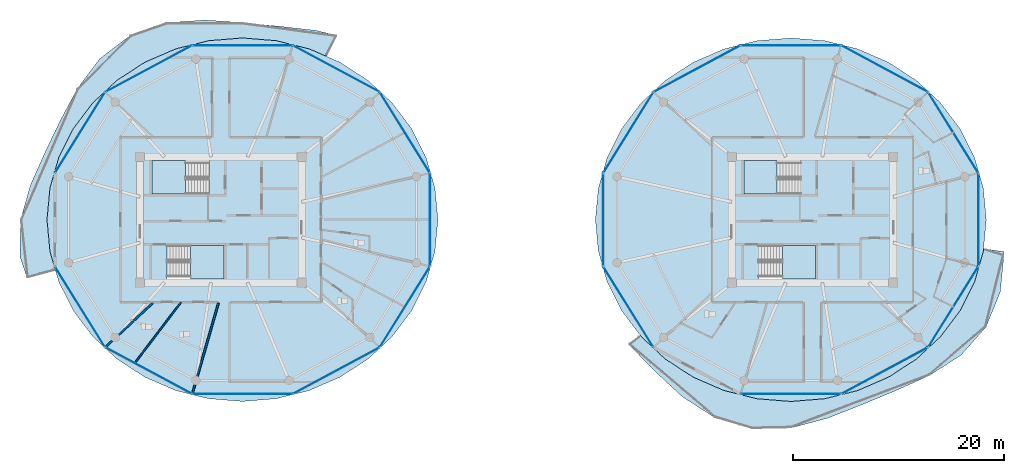
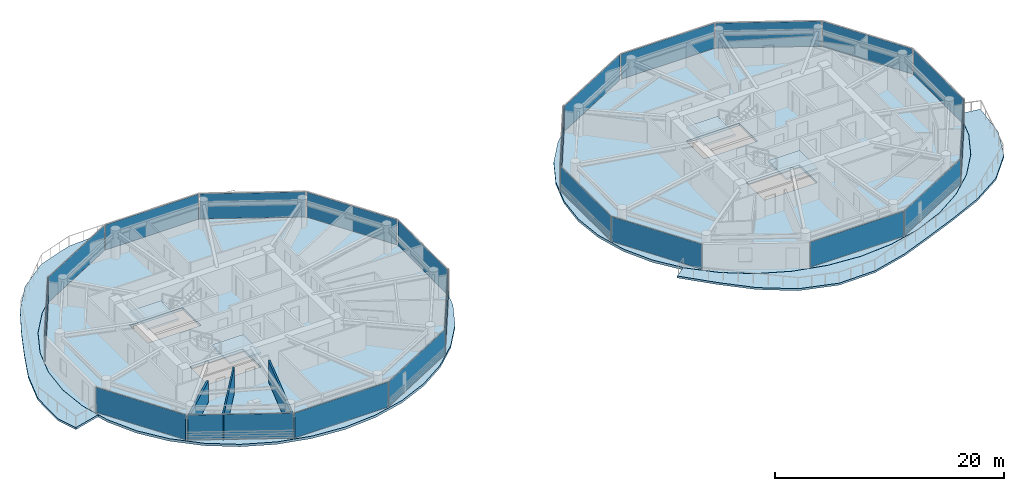
# One storey, part 12 of 25: 22 plates, 8 slabs, 3 walls, 26 elements without a shape of their own.
"""IFC4 building model written with IfcOpenShell, lengths in metres."""

from ifc_helpers import new_model, si_unit, direction, frame, frame_2d, origin, origin_2d, place, context, subcontext, project, spatial, polyline, rectangle, outline, extrude, source, transform, mapped, material, layer, layer_set, type_object, type_shapes, element, aggregate, save


model = new_model("IFC4")

# Units and contexts
model_context = context("Model", 3, precision=1e-05, world=origin(), true_north=direction((0.0, 1.0)))
body_context = subcontext(model_context, "Body", "Model", "MODEL_VIEW")
ifc_project = project(units=[si_unit("LENGTHUNIT", "METRE"), si_unit("AREAUNIT", "SQUARE_METRE"), si_unit("VOLUMEUNIT", "CUBIC_METRE"), si_unit("PLANEANGLEUNIT", "RADIAN"), si_unit("MASSUNIT", "GRAM", prefix="KILO")], contexts=[model_context])

# Site, building, storey
site_placement = place(None, origin())
site = spatial("IfcSite", under=ifc_project, at=site_placement, CompositionType="ELEMENT")
building_placement = place(site_placement, origin())
building = spatial("IfcBuilding", under=site, at=building_placement, Name="Norrkilde Senior Care Towers", CompositionType="ELEMENT")
storey_placement = place(building_placement, frame((0.0, 0.0, 84.050048828125)))
storey = spatial("IfcBuildingStorey", under=building, at=storey_placement, Name="L25", CompositionType="ELEMENT", Elevation=84.050048828125)

# Slabs
ifc_material_1 = material(Name="Concrete C50/60", Category="concrete")
ifc_layer_1 = layer(ifc_material_1, 0.215087890625)
ifc_layer_set_1 = layer_set([ifc_layer_1], Name="Concrete C50/60")
slab_type_1 = type_object("IfcSlabType", Name="Sinusoidal Balcony Ribbon Slab 215", PredefinedType="FLOOR", material=ifc_layer_set_1)
slab_1_placement = place(storey_placement, frame((0.0, 0.0, -0.215087890625)))
element("IfcSlab", 1, at=slab_1_placement, inside=storey, type_object=slab_type_1, Name="L25 Drum W Swirling Senior Balcony 1", PredefinedType="FLOOR", context=body_context, shape_type="SweptSolid", body=[
    extrude(outline(polyline([(-46.96240234375, 0.0), (-45.996337890625, 3.333251953125), (-44.635009765625, 6.391845703125), (-43.20654296875, 9.366943359375), (-41.599365234375, 12.389404296875), (-39.455078125, 15.244140625), (-36.571533203125, 17.45068359375), (-33.1181640625, 18.6474609375), (-29.484375, 18.90283203125), (-25.949951171875, 18.65380859375), (-22.511474609375, 18.317138671875), (-19.0263671875, 17.924560546875), (-16.964111328125, 17.4462890625), (-17.987548828125, 15.459228515625), (-19.620849609375, 16.16748046875), (-22.736572265625, 16.943603515625), (-25.949951171875, 17.205078125), (-29.163330078125, 16.943603515625), (-32.279052734375, 16.16748046875), (-35.202392578125, 14.89990234375), (-37.8447265625, 13.1796875), (-40.125732421875, 11.05908203125), (-41.975830078125, 8.6025390625), (-43.339111328125, 5.884521484375), (-44.173828125, 2.987548828125), (-44.455078125, 0.0), (-44.173828125, -2.987548828125), (-43.64990234375, -4.80615234375), (-46.322998046875, -5.531982421875), (-47.006591796875, -3.52490234375), (-46.96240234375, 0.0)])), origin(), (0.0, 0.0, 1.0), 0.215087890625),
])
slab_2_placement = place(storey_placement, frame((0.0, 0.0, -0.215087890625)))
element("IfcSlab", 2, at=slab_2_placement, inside=storey, type_object=slab_type_1, Name="L25 Drum E Swirling Senior Balcony 1", PredefinedType="FLOOR", context=body_context, shape_type="SweptSolid", body=[
    extrude(outline(polyline([(44.43505859375, -10.1298828125), (42.069091796875, -12.8134765625), (39.06591796875, -14.745361328125), (35.8876953125, -16.176513671875), (32.72509765625, -17.48583984375), (29.46337890625, -18.774169921875), (25.949951171875, -19.71240234375), (22.270263671875, -19.788818359375), (18.751220703125, -18.738037109375), (15.695068359375, -16.76806640625), (13.116455078125, -14.38330078125), (10.767333984375, -11.96826171875), (10.588623046875, -11.779296875), (11.68408203125, -10.939208984375), (11.7744140625, -11.05908203125), (14.05517578125, -13.1796875), (16.697509765625, -14.89990234375), (19.620849609375, -16.16748046875), (22.736572265625, -16.943603515625), (25.949951171875, -17.205078125), (29.163330078125, -16.943603515625), (32.279052734375, -16.16748046875), (35.202392578125, -14.89990234375), (37.8447265625, -13.1796875), (40.125732421875, -11.05908203125), (41.975830078125, -8.6025390625), (43.339111328125, -5.884521484375), (44.173828125, -2.987548828125), (44.197509765625, -2.73681640625), (46.1025390625, -3.0224609375), (46.12451171875, -3.357666015625), (45.77685546875, -6.839111328125), (44.43505859375, -10.1298828125)])), origin(), (0.0, 0.0, 1.0), 0.215087890625),
])

# Stair, slab
ifc_material_2 = material(Name="Concrete C45/55", Category="concrete")
stair_type = type_object("IfcStairType", Name="Core Protected Dogleg Stair Typical 3050", PredefinedType="HALF_TURN_STAIR", material=ifc_material_2)
stair_1_placement = place(storey_placement, origin())
stair_1 = element("IfcStair", 3, at=stair_1_placement, inside=storey, type_object=stair_type, Name="L25 Protected Core Stair W1", PredefinedType="HALF_TURN_STAIR")
ifc_layer_2 = layer(ifc_material_2, 0.199951171875)
ifc_layer_set_2 = layer_set([ifc_layer_2], Name="Concrete C45/55")
slab_type_2 = type_object("IfcSlabType", Name="Stair Landing Slab 200", PredefinedType="LANDING", material=ifc_layer_set_2)
slab_3_placement = place(storey_placement, frame((0.0, 0.0, 1.324951171875)))
slab_3 = element("IfcSlab", 4, at=slab_3_placement, type_object=slab_type_2, Name="ST-W1 landing 1", PredefinedType="LANDING", context=body_context, shape_type="SweptSolid", body=[
    extrude(outline(polyline([(-31.340087890625, 5.590087890625), (-34.5, 5.590087890625), (-34.5, 2.449951171875), (-31.340087890625, 2.449951171875), (-31.340087890625, 5.590087890625)])), origin(), (0.0, 0.0, 1.0), 0.199951171875),
])
aggregate(stair_1, [slab_3])

stair_2_placement = place(storey_placement, origin())
stair_2 = element("IfcStair", 5, at=stair_2_placement, inside=storey, type_object=stair_type, Name="L25 Protected Core Stair W2", PredefinedType="HALF_TURN_STAIR")
slab_4_placement = place(storey_placement, frame((0.0, 0.0, 1.324951171875)))
slab_4 = element("IfcSlab", 6, at=slab_4_placement, type_object=slab_type_2, Name="ST-W2 landing 1", PredefinedType="LANDING", context=body_context, shape_type="SweptSolid", body=[
    extrude(outline(polyline([(-30.860107421875, -5.590087890625), (-27.699951171875, -5.590087890625), (-27.699951171875, -2.449951171875), (-30.860107421875, -2.449951171875), (-30.860107421875, -5.590087890625)])), origin(), (0.0, 0.0, 1.0), 0.199951171875),
])
aggregate(stair_2, [slab_4])

stair_3_placement = place(storey_placement, origin())
stair_3 = element("IfcStair", 7, at=stair_3_placement, inside=storey, type_object=stair_type, Name="L25 Protected Core Stair E1", PredefinedType="HALF_TURN_STAIR")
slab_5_placement = place(storey_placement, frame((0.0, 0.0, 1.324951171875)))
slab_5 = element("IfcSlab", 8, at=slab_5_placement, type_object=slab_type_2, Name="ST-E1 landing 1", PredefinedType="LANDING", context=body_context, shape_type="SweptSolid", body=[
    extrude(outline(polyline([(24.659912109375, 5.590087890625), (21.5, 5.590087890625), (21.5, 2.449951171875), (24.659912109375, 2.449951171875), (24.659912109375, 5.590087890625)])), origin(), (0.0, 0.0, 1.0), 0.199951171875),
])
aggregate(stair_3, [slab_5])

stair_4_placement = place(storey_placement, origin())
stair_4 = element("IfcStair", 9, at=stair_4_placement, inside=storey, type_object=stair_type, Name="L25 Protected Core Stair E2", PredefinedType="HALF_TURN_STAIR")
slab_6_placement = place(storey_placement, frame((0.0, 0.0, 1.324951171875)))
slab_6 = element("IfcSlab", 10, at=slab_6_placement, type_object=slab_type_2, Name="ST-E2 landing 1", PredefinedType="LANDING", context=body_context, shape_type="SweptSolid", body=[
    extrude(outline(polyline([(25.139892578125, -5.590087890625), (28.300048828125, -5.590087890625), (28.300048828125, -2.449951171875), (25.139892578125, -2.449951171875), (25.139892578125, -5.590087890625)])), origin(), (0.0, 0.0, 1.0), 0.199951171875),
])
aggregate(stair_4, [slab_6])

# Slabs
ifc_layer_3 = layer(ifc_material_1, 0.260009765625)
ifc_layer_set_3 = layer_set([ifc_layer_3], Name="Concrete C50/60")
slab_type_3 = type_object("IfcSlabType", Name="Tower Care Floor Slab 260", PredefinedType="FLOOR", material=ifc_layer_set_3)
slab_7_placement = place(storey_placement, frame((0.0, 0.0, -0.260009765625)))
element("IfcSlab", 11, at=slab_7_placement, inside=storey, type_object=slab_type_3, Name="L25 Drum W Structural Floor Slab", PredefinedType="FLOOR", context=body_context, shape_type="SweptSolid", body=[
    extrude(outline(polyline([(-8.565673828125, -5.8828125), (-9.928466796875, -8.60009765625), (-11.778076171875, -11.055908203125), (-14.058349609375, -13.176025390625), (-16.699951171875, -14.895751953125), (-19.62255859375, -16.16259765625), (-22.737548828125, -16.938720703125), (-25.949951171875, -17.199951171875), (-29.16259765625, -16.938720703125), (-32.27734375, -16.16259765625), (-35.199951171875, -14.895751953125), (-37.841552734375, -13.176025390625), (-40.121826171875, -11.055908203125), (-41.971435546875, -8.60009765625), (-43.334228515625, -5.8828125), (-44.1689453125, -2.98681640625), (-44.449951171875, 0.0), (-44.1689453125, 2.98681640625), (-43.334228515625, 5.8828125), (-41.971435546875, 8.60009765625), (-40.121826171875, 11.055908203125), (-37.841552734375, 13.176025390625), (-35.199951171875, 14.895751953125), (-32.27734375, 16.16259765625), (-29.16259765625, 16.938720703125), (-25.949951171875, 17.199951171875), (-22.737548828125, 16.938720703125), (-19.62255859375, 16.16259765625), (-16.699951171875, 14.895751953125), (-14.058349609375, 13.176025390625), (-11.778076171875, 11.055908203125), (-9.928466796875, 8.60009765625), (-8.565673828125, 5.8828125), (-7.73095703125, 2.98681640625), (-7.449951171875, 0.0), (-7.73095703125, -2.98681640625), (-8.565673828125, -5.8828125)]), holes=[polyline([(-34.48193359375, 2.468017578125), (-29.117919921875, 2.468017578125), (-29.117919921875, 5.590087890625), (-34.48193359375, 5.590087890625), (-34.48193359375, 2.468017578125)]), polyline([(-27.718017578125, -5.590087890625), (-27.718017578125, -2.468017578125), (-33.08203125, -2.468017578125), (-33.08203125, -5.590087890625), (-27.718017578125, -5.590087890625)])]), origin(), (0.0, 0.0, 1.0), 0.260009765625),
])
slab_8_placement = place(storey_placement, frame((0.0, 0.0, -0.260009765625)))
element("IfcSlab", 12, at=slab_8_placement, inside=storey, type_object=slab_type_3, Name="L25 Drum E Structural Floor Slab", PredefinedType="FLOOR", context=body_context, shape_type="SweptSolid", body=[
    extrude(outline(polyline([(43.334228515625, -5.8828125), (41.971435546875, -8.60009765625), (40.121826171875, -11.055908203125), (37.841552734375, -13.176025390625), (35.199951171875, -14.895751953125), (32.27734375, -16.16259765625), (29.16259765625, -16.938720703125), (25.949951171875, -17.199951171875), (22.737548828125, -16.938720703125), (19.62255859375, -16.16259765625), (16.699951171875, -14.895751953125), (14.058349609375, -13.176025390625), (11.778076171875, -11.055908203125), (9.928466796875, -8.60009765625), (8.565673828125, -5.8828125), (7.73095703125, -2.98681640625), (7.449951171875, 0.0), (7.73095703125, 2.98681640625), (8.565673828125, 5.8828125), (9.928466796875, 8.60009765625), (11.778076171875, 11.055908203125), (14.058349609375, 13.176025390625), (16.699951171875, 14.895751953125), (19.62255859375, 16.16259765625), (22.737548828125, 16.938720703125), (25.949951171875, 17.199951171875), (29.16259765625, 16.938720703125), (32.27734375, 16.16259765625), (35.199951171875, 14.895751953125), (37.841552734375, 13.176025390625), (40.121826171875, 11.055908203125), (41.971435546875, 8.60009765625), (43.334228515625, 5.8828125), (44.1689453125, 2.98681640625), (44.449951171875, 0.0), (44.1689453125, -2.98681640625), (43.334228515625, -5.8828125)]), holes=[polyline([(21.51806640625, 2.468017578125), (26.882080078125, 2.468017578125), (26.882080078125, 5.590087890625), (21.51806640625, 5.590087890625), (21.51806640625, 2.468017578125)]), polyline([(28.281982421875, -5.590087890625), (28.281982421875, -2.468017578125), (22.91796875, -2.468017578125), (22.91796875, -5.590087890625), (28.281982421875, -5.590087890625)])]), origin(), (0.0, 0.0, 1.0), 0.260009765625),
])

# Curtain wall, plate
ifc_material_3 = material(Name="Triple Low-E Insulated Glazing", Category="glass")
ifc_layer_4 = layer(ifc_material_3, 0.195068359375)
ifc_layer_set_4 = layer_set([ifc_layer_4], Name="Triple Low-E Insulated Glazing")
curtain_wall_type = type_object("IfcCurtainWallType", Name="CW3 Zone 2 Assisted Living Curtain Wall", PredefinedType="NOTDEFINED", material=ifc_layer_set_4)
curtain_wall_1_placement = place(storey_placement, origin())
curtain_wall_1 = element("IfcCurtainWall", 13, at=curtain_wall_1_placement, inside=storey, type_object=curtain_wall_type, Name="L25 Drum W Curtain Wall 00", PredefinedType="NOTDEFINED")
ifc_layer_5 = layer(ifc_material_3, 0.035888671875)
ifc_layer_set_5 = layer_set([ifc_layer_5], Name="Triple Low-E Insulated Glazing")
plate_type = type_object("IfcPlateType", Name="Triple Low-E Vision Curtain Panel 36", PredefinedType="CURTAIN_PANEL", material=ifc_layer_set_5)
shared_shape_1 = source(origin(), body_context, "Body", "SweptSolid", [
    extrude(rectangle(XDim=8.88427734375, YDim=0.035888671875, at=origin_2d()), origin(), (0.0, 0.0, 1.0), 2.669921875),
])
plate_1_placement = place(storey_placement, frame((-10.574951171875, 8.2490234375, 0.06005859375), z_axis=(0.0, 0.0, 1.0), x_axis=(0.527733228002, -0.849410171862, 0.0)))
plate_1 = element("IfcPlate", 14, at=plate_1_placement, type_object=plate_type, Name="CW-3 panel 1.1", PredefinedType="CURTAIN_PANEL", context=body_context, shape_type="MappedRepresentation", body=[
    mapped(shared_shape_1, transform((0.0, 0.0, 0.0), x_axis=(1.0, 0.0, 0.0), y_axis=(0.0, 1.0, 0.0), z_axis=(0.0, 0.0, 1.0), scale=1.0)),
])
aggregate(curtain_wall_1, [plate_1])

curtain_wall_2_placement = place(storey_placement, origin())
curtain_wall_2 = element("IfcCurtainWall", 15, at=curtain_wall_2_placement, inside=storey, type_object=curtain_wall_type, Name="L25 Drum W Curtain Wall 04", PredefinedType="NOTDEFINED")
plate_2_placement = place(storey_placement, frame((-41.3251953125, 8.2490234375, 0.06005859375), z_axis=(0.0, 0.0, 1.0), x_axis=(0.527733228002, 0.849410171862, 0.0)))
plate_2 = element("IfcPlate", 16, at=plate_2_placement, type_object=plate_type, Name="CW-3 panel 1.1", PredefinedType="CURTAIN_PANEL", context=body_context, shape_type="MappedRepresentation", body=[
    mapped(shared_shape_1, transform((0.0, 0.0, 0.0), x_axis=(1.0, 0.0, 0.0), y_axis=(0.0, 1.0, 0.0), z_axis=(0.0, 0.0, 1.0), scale=1.0)),
])
aggregate(curtain_wall_2, [plate_2])

curtain_wall_3_placement = place(storey_placement, origin())
curtain_wall_3 = element("IfcCurtainWall", 17, at=curtain_wall_3_placement, inside=storey, type_object=curtain_wall_type, Name="L25 Drum W Curtain Wall 06", PredefinedType="NOTDEFINED")
plate_3_placement = place(storey_placement, frame((-41.3251953125, -8.2490234375, 0.06005859375), z_axis=(0.0, 0.0, 1.0), x_axis=(-0.527733228002, 0.849410171862, 0.0)))
plate_3 = element("IfcPlate", 18, at=plate_3_placement, type_object=plate_type, Name="CW-3 panel 1.1", PredefinedType="CURTAIN_PANEL", context=body_context, shape_type="MappedRepresentation", body=[
    mapped(shared_shape_1, transform((0.0, 0.0, 0.0), x_axis=(1.0, 0.0, 0.0), y_axis=(0.0, 1.0, 0.0), z_axis=(0.0, 0.0, 1.0), scale=1.0)),
])
aggregate(curtain_wall_3, [plate_3])

curtain_wall_4_placement = place(storey_placement, origin())
curtain_wall_4 = element("IfcCurtainWall", 19, at=curtain_wall_4_placement, inside=storey, type_object=curtain_wall_type, Name="L25 Drum W Curtain Wall 10", PredefinedType="NOTDEFINED")
plate_4_placement = place(storey_placement, frame((-10.574951171875, -8.2490234375, 0.06005859375), z_axis=(0.0, 0.0, 1.0), x_axis=(-0.527733228002, -0.849410171862, 0.0)))
plate_4 = element("IfcPlate", 20, at=plate_4_placement, type_object=plate_type, Name="CW-3 panel 1.1", PredefinedType="CURTAIN_PANEL", context=body_context, shape_type="MappedRepresentation", body=[
    mapped(shared_shape_1, transform((0.0, 0.0, 0.0), x_axis=(1.0, 0.0, 0.0), y_axis=(0.0, 1.0, 0.0), z_axis=(0.0, 0.0, 1.0), scale=1.0)),
])
aggregate(curtain_wall_4, [plate_4])

curtain_wall_5_placement = place(storey_placement, origin())
curtain_wall_5 = element("IfcCurtainWall", 21, at=curtain_wall_5_placement, inside=storey, type_object=curtain_wall_type, Name="L25 Drum E Curtain Wall 00", PredefinedType="NOTDEFINED")
plate_5_placement = place(storey_placement, frame((41.3251953125, 8.2490234375, 0.06005859375), z_axis=(0.0, 0.0, 1.0), x_axis=(0.527733228002, -0.849410171862, 0.0)))
plate_5 = element("IfcPlate", 22, at=plate_5_placement, type_object=plate_type, Name="CW-3 panel 1.1", PredefinedType="CURTAIN_PANEL", context=body_context, shape_type="MappedRepresentation", body=[
    mapped(shared_shape_1, transform((0.0, 0.0, 0.0), x_axis=(1.0, 0.0, 0.0), y_axis=(0.0, 1.0, 0.0), z_axis=(0.0, 0.0, 1.0), scale=1.0)),
])
aggregate(curtain_wall_5, [plate_5])

curtain_wall_6_placement = place(storey_placement, origin())
curtain_wall_6 = element("IfcCurtainWall", 23, at=curtain_wall_6_placement, inside=storey, type_object=curtain_wall_type, Name="L25 Drum E Curtain Wall 04", PredefinedType="NOTDEFINED")
plate_6_placement = place(storey_placement, frame((10.574951171875, 8.2490234375, 0.06005859375), z_axis=(0.0, 0.0, 1.0), x_axis=(0.527733228002, 0.849410171862, 0.0)))
plate_6 = element("IfcPlate", 24, at=plate_6_placement, type_object=plate_type, Name="CW-3 panel 1.1", PredefinedType="CURTAIN_PANEL", context=body_context, shape_type="MappedRepresentation", body=[
    mapped(shared_shape_1, transform((0.0, 0.0, 0.0), x_axis=(1.0, 0.0, 0.0), y_axis=(0.0, 1.0, 0.0), z_axis=(0.0, 0.0, 1.0), scale=1.0)),
])
aggregate(curtain_wall_6, [plate_6])

curtain_wall_7_placement = place(storey_placement, origin())
curtain_wall_7 = element("IfcCurtainWall", 25, at=curtain_wall_7_placement, inside=storey, type_object=curtain_wall_type, Name="L25 Drum E Curtain Wall 06", PredefinedType="NOTDEFINED")
plate_7_placement = place(storey_placement, frame((10.574951171875, -8.2490234375, 0.06005859375), z_axis=(0.0, 0.0, 1.0), x_axis=(-0.527733228002, 0.849410171862, 0.0)))
plate_7 = element("IfcPlate", 26, at=plate_7_placement, type_object=plate_type, Name="CW-3 panel 1.1", PredefinedType="CURTAIN_PANEL", context=body_context, shape_type="MappedRepresentation", body=[
    mapped(shared_shape_1, transform((0.0, 0.0, 0.0), x_axis=(1.0, 0.0, 0.0), y_axis=(0.0, 1.0, 0.0), z_axis=(0.0, 0.0, 1.0), scale=1.0)),
])
aggregate(curtain_wall_7, [plate_7])

curtain_wall_8_placement = place(storey_placement, origin())
curtain_wall_8 = element("IfcCurtainWall", 27, at=curtain_wall_8_placement, inside=storey, type_object=curtain_wall_type, Name="L25 Drum E Curtain Wall 10", PredefinedType="NOTDEFINED")
plate_8_placement = place(storey_placement, frame((41.3251953125, -8.2490234375, 0.06005859375), z_axis=(0.0, 0.0, 1.0), x_axis=(-0.527733228002, -0.849410171862, 0.0)))
plate_8 = element("IfcPlate", 28, at=plate_8_placement, type_object=plate_type, Name="CW-3 panel 1.1", PredefinedType="CURTAIN_PANEL", context=body_context, shape_type="MappedRepresentation", body=[
    mapped(shared_shape_1, transform((0.0, 0.0, 0.0), x_axis=(1.0, 0.0, 0.0), y_axis=(0.0, 1.0, 0.0), z_axis=(0.0, 0.0, 1.0), scale=1.0)),
])
aggregate(curtain_wall_8, [plate_8])

curtain_wall_9_placement = place(storey_placement, origin())
curtain_wall_9 = element("IfcCurtainWall", 29, at=curtain_wall_9_placement, inside=storey, type_object=curtain_wall_type, Name="L25 Drum W Curtain Wall 01", PredefinedType="NOTDEFINED")
shared_shape_2 = source(origin(), body_context, "Body", "SweptSolid", [
    extrude(rectangle(XDim=9.220458984375, YDim=0.035888671875, at=origin_2d()), origin(), (0.0, 0.0, 1.0), 2.669921875),
])
plate_9_placement = place(storey_placement, frame((-17.0732421875, 14.28759765625, 0.06005859375), z_axis=(0.0, 0.0, 1.0), x_axis=(0.881186184668, -0.472769402511, 0.0)))
plate_9 = element("IfcPlate", 30, at=plate_9_placement, type_object=plate_type, Name="CW-3 panel 1.1", PredefinedType="CURTAIN_PANEL", context=body_context, shape_type="MappedRepresentation", body=[
    mapped(shared_shape_2, transform((0.0, 0.0, 0.0), x_axis=(1.0, 0.0, 0.0), y_axis=(0.0, 1.0, 0.0), z_axis=(0.0, 0.0, 1.0), scale=1.0)),
])
aggregate(curtain_wall_9, [plate_9])

curtain_wall_10_placement = place(storey_placement, origin())
curtain_wall_10 = element("IfcCurtainWall", 31, at=curtain_wall_10_placement, inside=storey, type_object=curtain_wall_type, Name="L25 Drum W Curtain Wall 03", PredefinedType="NOTDEFINED")
plate_10_placement = place(storey_placement, frame((-34.826904296875, 14.28759765625, 0.06005859375), z_axis=(0.0, 0.0, 1.0), x_axis=(0.881186184668, 0.472769402511, 0.0)))
plate_10 = element("IfcPlate", 32, at=plate_10_placement, type_object=plate_type, Name="CW-3 panel 1.1", PredefinedType="CURTAIN_PANEL", context=body_context, shape_type="MappedRepresentation", body=[
    mapped(shared_shape_2, transform((0.0, 0.0, 0.0), x_axis=(1.0, 0.0, 0.0), y_axis=(0.0, 1.0, 0.0), z_axis=(0.0, 0.0, 1.0), scale=1.0)),
])
aggregate(curtain_wall_10, [plate_10])

curtain_wall_11_placement = place(storey_placement, origin())
curtain_wall_11 = element("IfcCurtainWall", 33, at=curtain_wall_11_placement, inside=storey, type_object=curtain_wall_type, Name="L25 Drum W Curtain Wall 07", PredefinedType="NOTDEFINED")
plate_11_placement = place(storey_placement, frame((-34.826904296875, -14.28759765625, 0.06005859375), z_axis=(0.0, 0.0, 1.0), x_axis=(-0.881186184668, 0.472769402511, 0.0)))
plate_11 = element("IfcPlate", 34, at=plate_11_placement, type_object=plate_type, Name="CW-3 panel 1.1", PredefinedType="CURTAIN_PANEL", context=body_context, shape_type="MappedRepresentation", body=[
    mapped(shared_shape_2, transform((0.0, 0.0, 0.0), x_axis=(1.0, 0.0, 0.0), y_axis=(0.0, 1.0, 0.0), z_axis=(0.0, 0.0, 1.0), scale=1.0)),
])
aggregate(curtain_wall_11, [plate_11])

curtain_wall_12_placement = place(storey_placement, origin())
curtain_wall_12 = element("IfcCurtainWall", 35, at=curtain_wall_12_placement, inside=storey, type_object=curtain_wall_type, Name="L25 Drum W Curtain Wall 09", PredefinedType="NOTDEFINED")
plate_12_placement = place(storey_placement, frame((-17.0732421875, -14.28759765625, 0.06005859375), z_axis=(0.0, 0.0, 1.0), x_axis=(-0.881186184668, -0.472769402511, 0.0)))
plate_12 = element("IfcPlate", 36, at=plate_12_placement, type_object=plate_type, Name="CW-3 panel 1.1", PredefinedType="CURTAIN_PANEL", context=body_context, shape_type="MappedRepresentation", body=[
    mapped(shared_shape_2, transform((0.0, 0.0, 0.0), x_axis=(1.0, 0.0, 0.0), y_axis=(0.0, 1.0, 0.0), z_axis=(0.0, 0.0, 1.0), scale=1.0)),
])
aggregate(curtain_wall_12, [plate_12])

curtain_wall_13_placement = place(storey_placement, origin())
curtain_wall_13 = element("IfcCurtainWall", 37, at=curtain_wall_13_placement, inside=storey, type_object=curtain_wall_type, Name="L25 Drum E Curtain Wall 01", PredefinedType="NOTDEFINED")
plate_13_placement = place(storey_placement, frame((34.826904296875, 14.28759765625, 0.06005859375), z_axis=(0.0, 0.0, 1.0), x_axis=(0.881186184668, -0.472769402511, 0.0)))
plate_13 = element("IfcPlate", 38, at=plate_13_placement, type_object=plate_type, Name="CW-3 panel 1.1", PredefinedType="CURTAIN_PANEL", context=body_context, shape_type="MappedRepresentation", body=[
    mapped(shared_shape_2, transform((0.0, 0.0, 0.0), x_axis=(1.0, 0.0, 0.0), y_axis=(0.0, 1.0, 0.0), z_axis=(0.0, 0.0, 1.0), scale=1.0)),
])
aggregate(curtain_wall_13, [plate_13])

curtain_wall_14_placement = place(storey_placement, origin())
curtain_wall_14 = element("IfcCurtainWall", 39, at=curtain_wall_14_placement, inside=storey, type_object=curtain_wall_type, Name="L25 Drum E Curtain Wall 03", PredefinedType="NOTDEFINED")
plate_14_placement = place(storey_placement, frame((17.0732421875, 14.28759765625, 0.06005859375), z_axis=(0.0, 0.0, 1.0), x_axis=(0.881186184668, 0.472769402511, 0.0)))
plate_14 = element("IfcPlate", 40, at=plate_14_placement, type_object=plate_type, Name="CW-3 panel 1.1", PredefinedType="CURTAIN_PANEL", context=body_context, shape_type="MappedRepresentation", body=[
    mapped(shared_shape_2, transform((0.0, 0.0, 0.0), x_axis=(1.0, 0.0, 0.0), y_axis=(0.0, 1.0, 0.0), z_axis=(0.0, 0.0, 1.0), scale=1.0)),
])
aggregate(curtain_wall_14, [plate_14])

curtain_wall_15_placement = place(storey_placement, origin())
curtain_wall_15 = element("IfcCurtainWall", 41, at=curtain_wall_15_placement, inside=storey, type_object=curtain_wall_type, Name="L25 Drum E Curtain Wall 09", PredefinedType="NOTDEFINED")
plate_15_placement = place(storey_placement, frame((34.826904296875, -14.28759765625, 0.06005859375), z_axis=(0.0, 0.0, 1.0), x_axis=(-0.881186184668, -0.472769402511, 0.0)))
plate_15 = element("IfcPlate", 42, at=plate_15_placement, type_object=plate_type, Name="CW-3 panel 1.1", PredefinedType="CURTAIN_PANEL", context=body_context, shape_type="MappedRepresentation", body=[
    mapped(shared_shape_2, transform((0.0, 0.0, 0.0), x_axis=(1.0, 0.0, 0.0), y_axis=(0.0, 1.0, 0.0), z_axis=(0.0, 0.0, 1.0), scale=1.0)),
])
aggregate(curtain_wall_15, [plate_15])

curtain_wall_16_placement = place(storey_placement, origin())
curtain_wall_16 = element("IfcCurtainWall", 43, at=curtain_wall_16_placement, inside=storey, type_object=curtain_wall_type, Name="L25 Drum W Curtain Wall 02", PredefinedType="NOTDEFINED")
shared_shape_3 = source(origin(), body_context, "Body", "SweptSolid", [
    extrude(rectangle(XDim=9.38427734375, YDim=0.035888671875, at=origin_2d()), origin(), (0.0, 0.0, 1.0), 2.669921875),
])
plate_16_placement = place(storey_placement, frame((-25.949951171875, 16.498046875, 0.06005859375), z_axis=(0.0, 0.0, 1.0), x_axis=(1.0, 0.0, 0.0)))
plate_16 = element("IfcPlate", 44, at=plate_16_placement, type_object=plate_type, Name="CW-3 panel 1.1", PredefinedType="CURTAIN_PANEL", context=body_context, shape_type="MappedRepresentation", body=[
    mapped(shared_shape_3, transform((0.0, 0.0, 0.0), x_axis=(1.0, 0.0, 0.0), y_axis=(0.0, 1.0, 0.0), z_axis=(0.0, 0.0, 1.0), scale=1.0)),
])
aggregate(curtain_wall_16, [plate_16])

curtain_wall_17_placement = place(storey_placement, origin())
curtain_wall_17 = element("IfcCurtainWall", 45, at=curtain_wall_17_placement, inside=storey, type_object=curtain_wall_type, Name="L25 Drum W Curtain Wall 08", PredefinedType="NOTDEFINED")
plate_17_placement = place(storey_placement, frame((-25.949951171875, -16.498046875, 0.06005859375), z_axis=(0.0, 0.0, 1.0), x_axis=(-1.0, 0.0, 0.0)))
plate_17 = element("IfcPlate", 46, at=plate_17_placement, type_object=plate_type, Name="CW-3 panel 1.1", PredefinedType="CURTAIN_PANEL", context=body_context, shape_type="MappedRepresentation", body=[
    mapped(shared_shape_3, transform((0.0, 0.0, 0.0), x_axis=(1.0, 0.0, 0.0), y_axis=(0.0, 1.0, 0.0), z_axis=(0.0, 0.0, 1.0), scale=1.0)),
])
aggregate(curtain_wall_17, [plate_17])

curtain_wall_18_placement = place(storey_placement, origin())
curtain_wall_18 = element("IfcCurtainWall", 47, at=curtain_wall_18_placement, inside=storey, type_object=curtain_wall_type, Name="L25 Drum E Curtain Wall 02", PredefinedType="NOTDEFINED")
plate_18_placement = place(storey_placement, frame((25.949951171875, 16.498046875, 0.06005859375), z_axis=(0.0, 0.0, 1.0), x_axis=(1.0, 0.0, 0.0)))
plate_18 = element("IfcPlate", 48, at=plate_18_placement, type_object=plate_type, Name="CW-3 panel 1.1", PredefinedType="CURTAIN_PANEL", context=body_context, shape_type="MappedRepresentation", body=[
    mapped(shared_shape_3, transform((0.0, 0.0, 0.0), x_axis=(1.0, 0.0, 0.0), y_axis=(0.0, 1.0, 0.0), z_axis=(0.0, 0.0, 1.0), scale=1.0)),
])
aggregate(curtain_wall_18, [plate_18])

curtain_wall_19_placement = place(storey_placement, origin())
curtain_wall_19 = element("IfcCurtainWall", 49, at=curtain_wall_19_placement, inside=storey, type_object=curtain_wall_type, Name="L25 Drum E Curtain Wall 08", PredefinedType="NOTDEFINED")
plate_19_placement = place(storey_placement, frame((25.949951171875, -16.498046875, 0.06005859375), z_axis=(0.0, 0.0, 1.0), x_axis=(-1.0, 0.0, 0.0)))
plate_19 = element("IfcPlate", 50, at=plate_19_placement, type_object=plate_type, Name="CW-3 panel 1.1", PredefinedType="CURTAIN_PANEL", context=body_context, shape_type="MappedRepresentation", body=[
    mapped(shared_shape_3, transform((0.0, 0.0, 0.0), x_axis=(1.0, 0.0, 0.0), y_axis=(0.0, 1.0, 0.0), z_axis=(0.0, 0.0, 1.0), scale=1.0)),
])
aggregate(curtain_wall_19, [plate_19])

curtain_wall_20_placement = place(storey_placement, origin())
curtain_wall_20 = element("IfcCurtainWall", 51, at=curtain_wall_20_placement, inside=storey, type_object=curtain_wall_type, Name="L25 Drum W Curtain Wall 11", PredefinedType="NOTDEFINED")
shared_shape_4 = source(origin(), body_context, "Body", "SweptSolid", [
    extrude(rectangle(XDim=8.711181640625, YDim=0.035888671875, at=origin_2d()), origin(), (0.0, 0.0, 1.0), 2.669921875),
])
type_shapes(plate_type, [shared_shape_1, shared_shape_2, shared_shape_3, shared_shape_4])
plate_20_placement = place(storey_placement, frame((-8.1962890625, 0.0, 0.06005859375), z_axis=(0.0, 0.0, 1.0), x_axis=(0.0, -1.0, 0.0)))
plate_20 = element("IfcPlate", 52, at=plate_20_placement, type_object=plate_type, Name="CW-3 panel 1.1", PredefinedType="CURTAIN_PANEL", context=body_context, shape_type="MappedRepresentation", body=[
    mapped(shared_shape_4, transform((0.0, 0.0, 0.0), x_axis=(1.0, 0.0, 0.0), y_axis=(0.0, 1.0, 0.0), z_axis=(0.0, 0.0, 1.0), scale=1.0)),
])
aggregate(curtain_wall_20, [plate_20])

curtain_wall_21_placement = place(storey_placement, origin())
curtain_wall_21 = element("IfcCurtainWall", 53, at=curtain_wall_21_placement, inside=storey, type_object=curtain_wall_type, Name="L25 Drum E Curtain Wall 05", PredefinedType="NOTDEFINED")
plate_21_placement = place(storey_placement, frame((8.1962890625, 0.0, 0.06005859375), z_axis=(0.0, 0.0, 1.0), x_axis=(0.0, 1.0, 0.0)))
plate_21 = element("IfcPlate", 54, at=plate_21_placement, type_object=plate_type, Name="CW-3 panel 1.1", PredefinedType="CURTAIN_PANEL", context=body_context, shape_type="MappedRepresentation", body=[
    mapped(shared_shape_4, transform((0.0, 0.0, 0.0), x_axis=(1.0, 0.0, 0.0), y_axis=(0.0, 1.0, 0.0), z_axis=(0.0, 0.0, 1.0), scale=1.0)),
])
aggregate(curtain_wall_21, [plate_21])

curtain_wall_22_placement = place(storey_placement, origin())
curtain_wall_22 = element("IfcCurtainWall", 55, at=curtain_wall_22_placement, inside=storey, type_object=curtain_wall_type, Name="L25 Drum E Curtain Wall 11", PredefinedType="NOTDEFINED")
plate_22_placement = place(storey_placement, frame((43.70361328125, 0.0, 0.06005859375), z_axis=(0.0, 0.0, 1.0), x_axis=(0.0, -1.0, 0.0)))
plate_22 = element("IfcPlate", 56, at=plate_22_placement, type_object=plate_type, Name="CW-3 panel 1.1", PredefinedType="CURTAIN_PANEL", context=body_context, shape_type="MappedRepresentation", body=[
    mapped(shared_shape_4, transform((0.0, 0.0, 0.0), x_axis=(1.0, 0.0, 0.0), y_axis=(0.0, 1.0, 0.0), z_axis=(0.0, 0.0, 1.0), scale=1.0)),
])
aggregate(curtain_wall_22, [plate_22])

# Walls
ifc_material_4 = material(Name="Gypsum Acoustic Board")
ifc_layer_6 = layer(ifc_material_4, 0.1650390625)
ifc_layer_set_6 = layer_set([ifc_layer_6], Name="Gypsum Acoustic Board")
wall_type_1 = type_object("IfcWallType", Name="Corridor Rated Partition 165", PredefinedType="PARTITIONING", material=ifc_layer_set_6)
shared_shape_5 = source(origin(), body_context, "Body", "SweptSolid", [
    extrude(rectangle(XDim=8.9892578125, YDim=0.1650390625, at=frame_2d((4.49462890625, 0.0))), origin(), (0.0, 0.0, 1.0), 2.27490234375),
])
type_shapes(wall_type_1, [shared_shape_5])
wall_1_placement = place(storey_placement, frame((-28.221923828125, -7.8798828125, 0.0), z_axis=(0.0, 0.0, 1.0), x_axis=(-0.27702323008, -0.960863221274, 0.0)))
element("IfcWall", 57, at=wall_1_placement, inside=storey, type_object=wall_type_1, Name="WL-INT-L25-W-DEM-08-0", PredefinedType="PARTITIONING", context=body_context, shape_type="MappedRepresentation", body=[
    mapped(shared_shape_5, transform((0.0, 0.0, 0.0), x_axis=(1.0, 0.0, 0.0), y_axis=(0.0, 1.0, 0.0), z_axis=(0.0, 0.0, 1.0), scale=1.0)),
])
ifc_layer_7 = layer(ifc_material_4, 0.18994140625)
ifc_layer_set_7 = layer_set([ifc_layer_7], Name="Gypsum Acoustic Board")
wall_type_2 = type_object("IfcWallType", Name="Unit Demising Acoustic Wall 190", PredefinedType="PARTITIONING", material=ifc_layer_set_7)
shared_shape_6 = source(origin(), body_context, "Body", "SweptSolid", [
    extrude(rectangle(XDim=6.186767578125, YDim=0.18994140625, at=frame_2d((3.09326171875, 0.0))), origin(), (0.0, 0.0, 1.0), 2.27490234375),
])
type_shapes(wall_type_2, [shared_shape_6])
wall_2_placement = place(storey_placement, frame((-34.428955078125, -7.8798828125, 0.0), z_axis=(0.0, 0.0, 1.0), x_axis=(-0.732501077882, -0.680765870841, 0.0)))
element("IfcWall", 58, at=wall_2_placement, inside=storey, type_object=wall_type_2, Name="WL-INT-L25-W-DEM-07-0", PredefinedType="PARTITIONING", context=body_context, shape_type="MappedRepresentation", body=[
    mapped(shared_shape_6, transform((0.0, 0.0, 0.0), x_axis=(1.0, 0.0, 0.0), y_axis=(0.0, 1.0, 0.0), z_axis=(0.0, 0.0, 1.0), scale=1.0)),
])
ifc_layer_8 = layer(ifc_material_4, 0.139892578125)
ifc_layer_set_8 = layer_set([ifc_layer_8], Name="Gypsum Acoustic Board")
wall_type_3 = type_object("IfcWallType", Name="En-suite Wet Room Wall 140", PredefinedType="PARTITIONING", material=ifc_layer_set_8)
shared_shape_7 = source(origin(), body_context, "Body", "SweptSolid", [
    extrude(rectangle(XDim=7.24267578125, YDim=0.139892578125, at=frame_2d((3.621337890625, 0.0))), origin(), (0.0, 0.0, 1.0), 2.77490234375),
])
type_shapes(wall_type_3, [shared_shape_7])
wall_3_placement = place(storey_placement, frame((-31.773681640625, -7.830078125, 0.0), z_axis=(0.0, 0.0, 1.0), x_axis=(-0.605111472002, -0.796140757939, 0.0)))
element("IfcWall", 59, at=wall_3_placement, inside=storey, type_object=wall_type_3, Name="WL-INT-L25-W-MID-07", PredefinedType="PARTITIONING", context=body_context, shape_type="MappedRepresentation", body=[
    mapped(shared_shape_7, transform((0.0, 0.0, 0.0), x_axis=(1.0, 0.0, 0.0), y_axis=(0.0, 1.0, 0.0), z_axis=(0.0, 0.0, 1.0), scale=1.0)),
])

save(model, "model.ifc")
